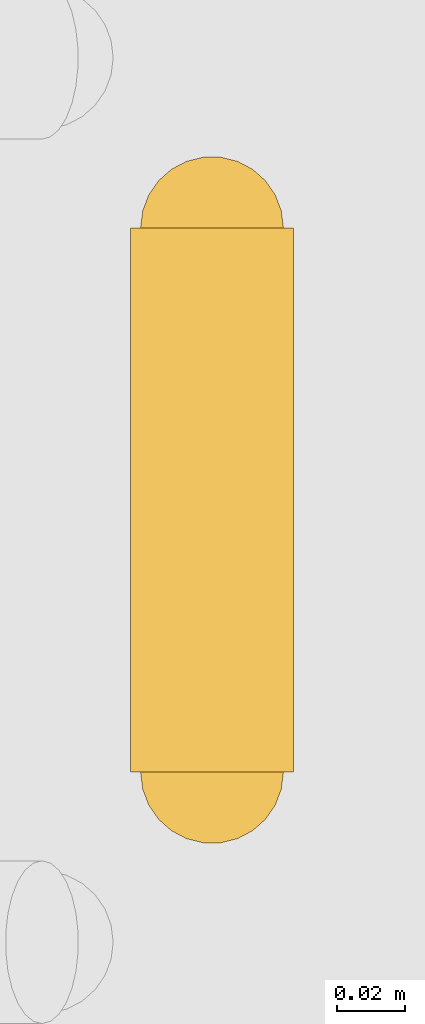
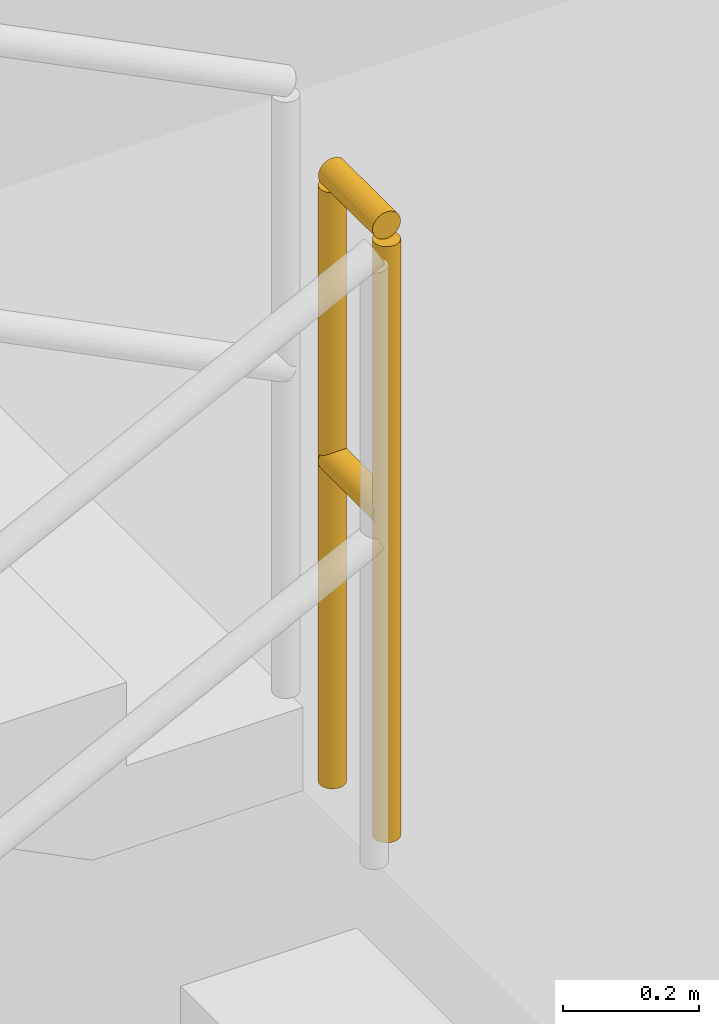
# One storey, part 40 of 43: 1 railing.
"""IFC4 building model written with IfcOpenShell, lengths in metres."""

from ifc_helpers import new_model, si_unit, derived_unit, direction, frame, origin, origin_2d, place, context, subcontext, project, spatial, circle, extrude, material, type_object, element, save


model = new_model("IFC4")

# Units and contexts
model_context = context("Model", 3, precision=1e-05, world=origin(), true_north=direction((0.0, 1.0)))
body_context = subcontext(model_context, "Body", "Model", "MODEL_VIEW")
ifc_project = project(units=[si_unit("LENGTHUNIT", "METRE"), si_unit("AREAUNIT", "SQUARE_METRE"), si_unit("VOLUMEUNIT", "CUBIC_METRE"), si_unit("PLANEANGLEUNIT", "RADIAN"), si_unit("MASSUNIT", "GRAM", prefix="KILO"), derived_unit("THERMALTRANSMITTANCEUNIT", [(si_unit("POWERUNIT", "WATT"), 1), (si_unit("AREAUNIT", "SQUARE_METRE"), -1), (si_unit("THERMODYNAMICTEMPERATUREUNIT", "KELVIN"), -1)])], contexts=[model_context])

# Site, building, storey
site_placement = place(None, origin())
site = spatial("IfcSite", under=ifc_project, at=site_placement, CompositionType="ELEMENT")
building_placement = place(site_placement, origin())
building = spatial("IfcBuilding", under=site, at=building_placement, Name="Yasenodar Specialist Clinic", CompositionType="ELEMENT")
storey_placement = place(building_placement, frame((0.0, 0.0, -4.5)))
storey = spatial("IfcBuildingStorey", under=building, at=storey_placement, Name="B1", CompositionType="ELEMENT", Elevation=-4.5)

# Railing
ifc_material = material(Name="Steel S355 Painted Stair Guardrail", Category="steel")
railing_type = type_object("IfcRailingType", Name="RL-ST-GRD", PredefinedType="GUARDRAIL", material=ifc_material)
railing_placement = place(storey_placement, frame((63.1201171875, 109.580078125, 2.25)))
element("IfcRailing", 1, at=railing_placement, inside=storey, type_object=railing_type, Name="B1 ST-04 stair guard 2", PredefinedType="GUARDRAIL", context=body_context, shape_type="SweptSolid", body=[
    extrude(circle(Radius=0.02392578125, at=origin_2d()), frame((0.0, 0.0, 1.09619140625), z_axis=(0.0, 1.0, 0.0), x_axis=(-1.0, 0.0, 0.0)), (0.0, 0.0, 1.0), 0.159912109375),
    extrude(circle(Radius=0.02392578125, at=origin_2d()), frame((0.0, 0.0, 0.58251953125), z_axis=(0.0, 1.0, 0.0), x_axis=(-1.0, 0.0, 0.0)), (0.0, 0.0, 1.0), 0.159912109375),
    extrude(circle(Radius=0.02099609375, at=origin_2d()), origin(), (0.0, 0.0, 1.0), 1.072021484375),
    extrude(circle(Radius=0.02099609375, at=origin_2d()), frame((0.0, 0.159912109375, 0.0)), (0.0, 0.0, 1.0), 1.072021484375),
])

save(model, "model.ifc")
